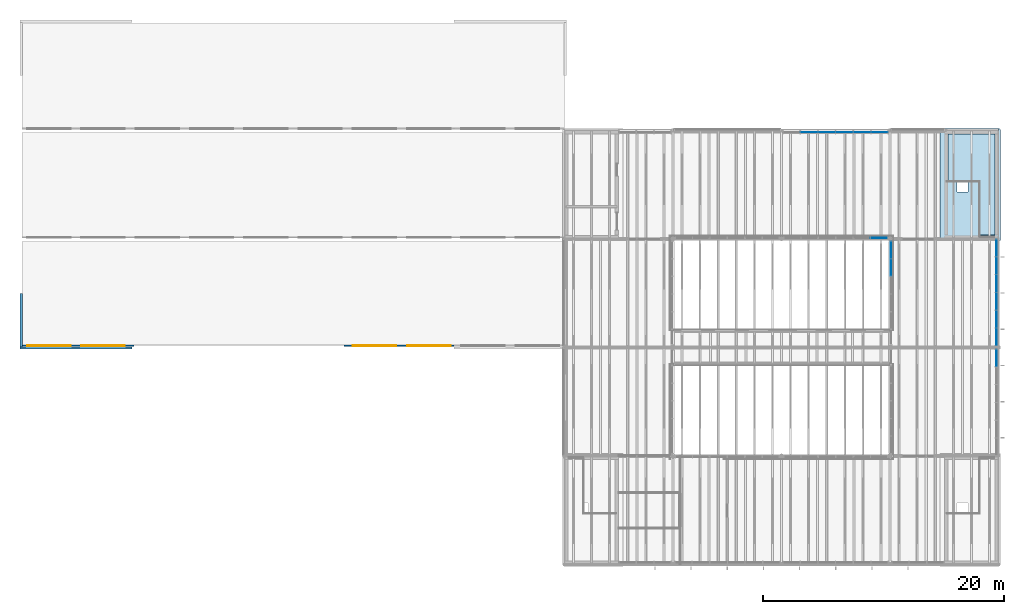
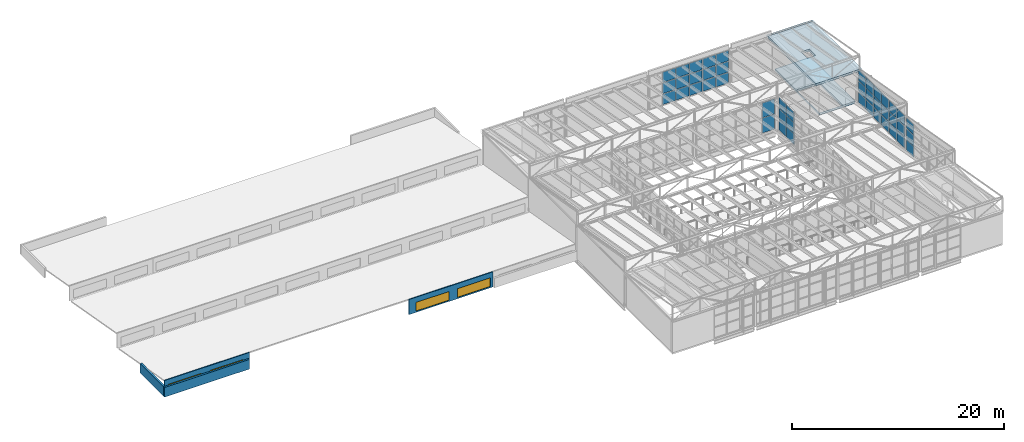
"""IFC4 building model written with IfcOpenShell, lengths in metres."""

from ifc_helpers import new_model, si_unit, direction, frame, frame_2d, origin, origin_2d, place, context, subcontext, project, spatial, polyline, rectangle, outline, extrude, material, layer, layer_set, type_object, element, fill, aggregate, save


model = new_model("IFC4")

# Units and contexts
model_context = context("Model", 3, precision=1e-05, world=origin(), true_north=direction((0.0, 1.0)))
body_context = subcontext(model_context, "Body", "Model", "MODEL_VIEW")
ifc_project = project(units=[si_unit("LENGTHUNIT", "METRE"), si_unit("AREAUNIT", "SQUARE_METRE"), si_unit("VOLUMEUNIT", "CUBIC_METRE"), si_unit("PLANEANGLEUNIT", "RADIAN"), si_unit("MASSUNIT", "GRAM", prefix="KILO")], contexts=[model_context])

# Site, building, storey
site_placement = place(None, origin())
site = spatial("IfcSite", under=ifc_project, at=site_placement, CompositionType="ELEMENT")
building_placement = place(site_placement, origin())
building = spatial("IfcBuilding", under=site, at=building_placement, Name="Halyard Row Museum", CompositionType="ELEMENT")
storey_1_placement = place(building_placement, frame((0.0, 0.0, 21.199951171875)))
storey_1 = spatial("IfcBuildingStorey", under=building, at=storey_1_placement, Name="L04", CompositionType="ELEMENT", Elevation=21.199951171875)

# Slabs
ifc_material_1 = material(Name="Concrete 40 MPa", Category="concrete")
ifc_layer_1 = layer(ifc_material_1, 0.25)
ifc_layer_set_1 = layer_set([ifc_layer_1], Name="Concrete 40 MPa")
slab_type_1 = type_object("IfcSlabType", Name="Core floor slab 250", PredefinedType="FLOOR", material=ifc_layer_set_1)
slab_1_placement = place(storey_1_placement, frame((0.0, 0.0, -0.25)))
element("IfcSlab", 1, at=slab_1_placement, inside=storey_1, type_object=slab_type_1, Name="Core floor K2C L04", PredefinedType="FLOOR", context=body_context, shape_type="SweptSolid", body=[
    extrude(outline(polyline([(107.699951171875, 35.699951171875), (103.800048828125, 35.699951171875), (103.800048828125, 27.300048828125), (107.699951171875, 27.300048828125), (107.699951171875, 35.699951171875)]), holes=[polyline([(106.346923828125, 27.302978515625), (103.802978515625, 27.302978515625), (103.802978515625, 31.697021484375), (106.346923828125, 31.697021484375), (106.346923828125, 27.302978515625)])]), origin(), (0.0, 0.0, 1.0), 0.25),
])
ifc_material_2 = material(Name="Concrete 40 MPa", Category="concrete")
ifc_layer_2 = layer(ifc_material_2, 0.25)
ifc_layer_set_2 = layer_set([ifc_layer_2], Name="Concrete 40 MPa")
slab_type_2 = type_object("IfcSlabType", Name="Core roof slab 250 reinforced concrete", PredefinedType="ROOF", material=ifc_layer_set_2)
slab_2_placement = place(storey_1_placement, frame((0.0, 0.0, 3.628173828125)))
element("IfcSlab", 2, at=slab_2_placement, inside=storey_1, type_object=slab_type_2, Name="Core roof K2C", PredefinedType="ROOF", context=body_context, shape_type="SweptSolid", body=[
    extrude(outline(polyline([(103.14990234375, 35.904541015625), (108.0, 35.904541015625), (108.0, 36.095458984375), (103.14990234375, 36.095458984375), (103.14990234375, 36.14990234375), (108.0, 36.14990234375), (108.0146484375, 36.149169921875), (108.029296875, 36.147216796875), (108.04345703125, 36.1435546875), (108.057373046875, 36.138671875), (108.07080078125, 36.13232421875), (108.083251953125, 36.124755859375), (108.09521484375, 36.115966796875), (108.10595703125, 36.10595703125), (108.115966796875, 36.09521484375), (108.124755859375, 36.083251953125), (108.13232421875, 36.07080078125), (108.138671875, 36.057373046875), (108.1435546875, 36.04345703125), (108.147216796875, 36.029296875), (108.149169921875, 36.0146484375), (108.14990234375, 36.0), (108.14990234375, 26.85009765625), (103.14990234375, 26.85009765625), (103.14990234375, 35.904541015625)]), holes=[polyline([(104.550048828125, 30.89990234375), (105.449951171875, 30.89990234375), (105.449951171875, 32.10009765625), (104.550048828125, 32.10009765625), (104.550048828125, 30.89990234375)])]), origin(), (0.0, 0.0, 1.0), 0.25),
])

# Curtain wall, plates
ifc_material_3 = material(Name="Double glazed unit, low-emissivity", Category="glass")
ifc_layer_3 = layer(ifc_material_3, 0.219970703125)
ifc_layer_set_3 = layer_set([ifc_layer_3], Name="Double glazed unit, low-emissivity")
curtain_wall_type_1 = type_object("IfcCurtainWallType", Name="Curtain wall unitised 220 deep", PredefinedType="NOTDEFINED", material=ifc_layer_set_3)
curtain_wall_1_placement = place(storey_1_placement, origin())
curtain_wall_1 = element("IfcCurtainWall", 3, at=curtain_wall_1_placement, inside=storey_1, type_object=curtain_wall_type_1, Name="Curtain wall CW059", PredefinedType="NOTDEFINED")
ifc_material_4 = material(Name="Double glazed unit, low-emissivity", Category="glass")
ifc_layer_4 = layer(ifc_material_4, 0.035888671875)
ifc_layer_set_4 = layer_set([ifc_layer_4], Name="Double glazed unit, low-emissivity")
plate_type_1 = type_object("IfcPlateType", Name="Curtain wall glazed panel CP3 36", PredefinedType="CURTAIN_PANEL", material=ifc_layer_set_4)
plate_1_placement = place(storey_1_placement, frame((107.840087890625, 17.120361328125, 0.06005859375), z_axis=(0.0, 0.0, 1.0), x_axis=(0.0, 1.0, 0.0)))
plate_1 = element("IfcPlate", 4, at=plate_1_placement, type_object=plate_type_1, Name="CW059 panel 6.1", PredefinedType="CURTAIN_PANEL", context=body_context, shape_type="SweptSolid", body=[
    extrude(rectangle(XDim=1.38916015625, YDim=0.035888671875, at=origin_2d()), origin(), (0.0, 0.0, 1.0), 1.20263671875),
])
plate_2_placement = place(storey_1_placement, frame((107.840087890625, 17.120361328125, 1.32275390625), z_axis=(0.0, 0.0, 1.0), x_axis=(0.0, 1.0, 0.0)))
plate_2 = element("IfcPlate", 5, at=plate_2_placement, type_object=plate_type_1, Name="CW059 panel 6.2", PredefinedType="CURTAIN_PANEL", context=body_context, shape_type="SweptSolid", body=[
    extrude(rectangle(XDim=1.38916015625, YDim=0.035888671875, at=origin_2d()), origin(), (0.0, 0.0, 1.0), 1.232666015625),
])
plate_3_placement = place(storey_1_placement, frame((107.840087890625, 17.120361328125, 2.615478515625), z_axis=(0.0, 0.0, 1.0), x_axis=(0.0, 1.0, 0.0)))
plate_3 = element("IfcPlate", 6, at=plate_3_placement, type_object=plate_type_1, Name="CW059 panel 6.3", PredefinedType="CURTAIN_PANEL", context=body_context, shape_type="SweptSolid", body=[
    extrude(rectangle(XDim=1.38916015625, YDim=0.035888671875, at=origin_2d()), origin(), (0.0, 0.0, 1.0), 1.20263671875),
])
aggregate(curtain_wall_1, [plate_1, plate_2, plate_3])

curtain_wall_2_placement = place(storey_1_placement, origin())
curtain_wall_2 = element("IfcCurtainWall", 7, at=curtain_wall_2_placement, inside=storey_1, type_object=curtain_wall_type_1, Name="Curtain wall CW060", PredefinedType="NOTDEFINED")
plate_4_placement = place(storey_1_placement, frame((107.840087890625, 18.879638671875, 0.06005859375), z_axis=(0.0, 0.0, 1.0), x_axis=(0.0, 1.0, 0.0)))
plate_4 = element("IfcPlate", 8, at=plate_4_placement, type_object=plate_type_1, Name="CW060 panel 1.1", PredefinedType="CURTAIN_PANEL", context=body_context, shape_type="SweptSolid", body=[
    extrude(rectangle(XDim=1.38916015625, YDim=0.035888671875, at=origin_2d()), origin(), (0.0, 0.0, 1.0), 1.20263671875),
])
plate_5_placement = place(storey_1_placement, frame((107.840087890625, 18.879638671875, 1.32275390625), z_axis=(0.0, 0.0, 1.0), x_axis=(0.0, 1.0, 0.0)))
plate_5 = element("IfcPlate", 9, at=plate_5_placement, type_object=plate_type_1, Name="CW060 panel 1.2", PredefinedType="CURTAIN_PANEL", context=body_context, shape_type="SweptSolid", body=[
    extrude(rectangle(XDim=1.38916015625, YDim=0.035888671875, at=origin_2d()), origin(), (0.0, 0.0, 1.0), 1.232666015625),
])
plate_6_placement = place(storey_1_placement, frame((107.840087890625, 18.879638671875, 2.615478515625), z_axis=(0.0, 0.0, 1.0), x_axis=(0.0, 1.0, 0.0)))
plate_6 = element("IfcPlate", 10, at=plate_6_placement, type_object=plate_type_1, Name="CW060 panel 1.3", PredefinedType="CURTAIN_PANEL", context=body_context, shape_type="SweptSolid", body=[
    extrude(rectangle(XDim=1.38916015625, YDim=0.035888671875, at=origin_2d()), origin(), (0.0, 0.0, 1.0), 1.20263671875),
])
plate_7_placement = place(storey_1_placement, frame((107.840087890625, 20.34375, 0.06005859375), z_axis=(0.0, 0.0, 1.0), x_axis=(0.0, 1.0, 0.0)))
plate_7 = element("IfcPlate", 11, at=plate_7_placement, type_object=plate_type_1, Name="CW060 panel 2.1", PredefinedType="CURTAIN_PANEL", context=body_context, shape_type="SweptSolid", body=[
    extrude(rectangle(XDim=1.419189453125, YDim=0.035888671875, at=origin_2d()), origin(), (0.0, 0.0, 1.0), 1.20263671875),
])
plate_8_placement = place(storey_1_placement, frame((107.840087890625, 20.34375, 1.32275390625), z_axis=(0.0, 0.0, 1.0), x_axis=(0.0, 1.0, 0.0)))
plate_8 = element("IfcPlate", 12, at=plate_8_placement, type_object=plate_type_1, Name="CW060 panel 2.2", PredefinedType="CURTAIN_PANEL", context=body_context, shape_type="SweptSolid", body=[
    extrude(rectangle(XDim=1.419189453125, YDim=0.035888671875, at=origin_2d()), origin(), (0.0, 0.0, 1.0), 1.232666015625),
])
plate_9_placement = place(storey_1_placement, frame((107.840087890625, 20.34375, 2.615478515625), z_axis=(0.0, 0.0, 1.0), x_axis=(0.0, 1.0, 0.0)))
plate_9 = element("IfcPlate", 13, at=plate_9_placement, type_object=plate_type_1, Name="CW060 panel 2.3", PredefinedType="CURTAIN_PANEL", context=body_context, shape_type="SweptSolid", body=[
    extrude(rectangle(XDim=1.419189453125, YDim=0.035888671875, at=origin_2d()), origin(), (0.0, 0.0, 1.0), 1.20263671875),
])
plate_10_placement = place(storey_1_placement, frame((107.840087890625, 21.822998046875, 0.06005859375), z_axis=(0.0, 0.0, 1.0), x_axis=(0.0, 1.0, 0.0)))
plate_10 = element("IfcPlate", 14, at=plate_10_placement, type_object=plate_type_1, Name="CW060 panel 3.1", PredefinedType="CURTAIN_PANEL", context=body_context, shape_type="SweptSolid", body=[
    extrude(rectangle(XDim=1.419189453125, YDim=0.035888671875, at=origin_2d()), origin(), (0.0, 0.0, 1.0), 1.20263671875),
])
plate_11_placement = place(storey_1_placement, frame((107.840087890625, 21.822998046875, 1.32275390625), z_axis=(0.0, 0.0, 1.0), x_axis=(0.0, 1.0, 0.0)))
plate_11 = element("IfcPlate", 15, at=plate_11_placement, type_object=plate_type_1, Name="CW060 panel 3.2", PredefinedType="CURTAIN_PANEL", context=body_context, shape_type="SweptSolid", body=[
    extrude(rectangle(XDim=1.419189453125, YDim=0.035888671875, at=origin_2d()), origin(), (0.0, 0.0, 1.0), 1.232666015625),
])
plate_12_placement = place(storey_1_placement, frame((107.840087890625, 21.822998046875, 2.615478515625), z_axis=(0.0, 0.0, 1.0), x_axis=(0.0, 1.0, 0.0)))
plate_12 = element("IfcPlate", 16, at=plate_12_placement, type_object=plate_type_1, Name="CW060 panel 3.3", PredefinedType="CURTAIN_PANEL", context=body_context, shape_type="SweptSolid", body=[
    extrude(rectangle(XDim=1.419189453125, YDim=0.035888671875, at=origin_2d()), origin(), (0.0, 0.0, 1.0), 1.20263671875),
])
plate_13_placement = place(storey_1_placement, frame((107.840087890625, 23.302001953125, 0.06005859375), z_axis=(0.0, 0.0, 1.0), x_axis=(0.0, 1.0, 0.0)))
plate_13 = element("IfcPlate", 17, at=plate_13_placement, type_object=plate_type_1, Name="CW060 panel 4.1", PredefinedType="CURTAIN_PANEL", context=body_context, shape_type="SweptSolid", body=[
    extrude(rectangle(XDim=1.419189453125, YDim=0.035888671875, at=origin_2d()), origin(), (0.0, 0.0, 1.0), 1.20263671875),
])
plate_14_placement = place(storey_1_placement, frame((107.840087890625, 23.302001953125, 1.32275390625), z_axis=(0.0, 0.0, 1.0), x_axis=(0.0, 1.0, 0.0)))
plate_14 = element("IfcPlate", 18, at=plate_14_placement, type_object=plate_type_1, Name="CW060 panel 4.2", PredefinedType="CURTAIN_PANEL", context=body_context, shape_type="SweptSolid", body=[
    extrude(rectangle(XDim=1.419189453125, YDim=0.035888671875, at=origin_2d()), origin(), (0.0, 0.0, 1.0), 1.232666015625),
])
plate_15_placement = place(storey_1_placement, frame((107.840087890625, 23.302001953125, 2.615478515625), z_axis=(0.0, 0.0, 1.0), x_axis=(0.0, 1.0, 0.0)))
plate_15 = element("IfcPlate", 19, at=plate_15_placement, type_object=plate_type_1, Name="CW060 panel 4.3", PredefinedType="CURTAIN_PANEL", context=body_context, shape_type="SweptSolid", body=[
    extrude(rectangle(XDim=1.419189453125, YDim=0.035888671875, at=origin_2d()), origin(), (0.0, 0.0, 1.0), 1.20263671875),
])
plate_16_placement = place(storey_1_placement, frame((107.840087890625, 24.78125, 0.06005859375), z_axis=(0.0, 0.0, 1.0), x_axis=(0.0, 1.0, 0.0)))
plate_16 = element("IfcPlate", 20, at=plate_16_placement, type_object=plate_type_1, Name="CW060 panel 5.1", PredefinedType="CURTAIN_PANEL", context=body_context, shape_type="SweptSolid", body=[
    extrude(rectangle(XDim=1.419189453125, YDim=0.035888671875, at=origin_2d()), origin(), (0.0, 0.0, 1.0), 1.20263671875),
])
plate_17_placement = place(storey_1_placement, frame((107.840087890625, 24.78125, 1.32275390625), z_axis=(0.0, 0.0, 1.0), x_axis=(0.0, 1.0, 0.0)))
plate_17 = element("IfcPlate", 21, at=plate_17_placement, type_object=plate_type_1, Name="CW060 panel 5.2", PredefinedType="CURTAIN_PANEL", context=body_context, shape_type="SweptSolid", body=[
    extrude(rectangle(XDim=1.419189453125, YDim=0.035888671875, at=origin_2d()), origin(), (0.0, 0.0, 1.0), 1.232666015625),
])
plate_18_placement = place(storey_1_placement, frame((107.840087890625, 24.78125, 2.615478515625), z_axis=(0.0, 0.0, 1.0), x_axis=(0.0, 1.0, 0.0)))
plate_18 = element("IfcPlate", 22, at=plate_18_placement, type_object=plate_type_1, Name="CW060 panel 5.3", PredefinedType="CURTAIN_PANEL", context=body_context, shape_type="SweptSolid", body=[
    extrude(rectangle(XDim=1.419189453125, YDim=0.035888671875, at=origin_2d()), origin(), (0.0, 0.0, 1.0), 1.20263671875),
])
plate_19_placement = place(storey_1_placement, frame((107.840087890625, 26.245361328125, 0.06005859375), z_axis=(0.0, 0.0, 1.0), x_axis=(0.0, 1.0, 0.0)))
plate_19 = element("IfcPlate", 23, at=plate_19_placement, type_object=plate_type_1, Name="CW060 panel 6.1", PredefinedType="CURTAIN_PANEL", context=body_context, shape_type="SweptSolid", body=[
    extrude(rectangle(XDim=1.38916015625, YDim=0.035888671875, at=origin_2d()), origin(), (0.0, 0.0, 1.0), 1.20263671875),
])
plate_20_placement = place(storey_1_placement, frame((107.840087890625, 26.245361328125, 1.32275390625), z_axis=(0.0, 0.0, 1.0), x_axis=(0.0, 1.0, 0.0)))
plate_20 = element("IfcPlate", 24, at=plate_20_placement, type_object=plate_type_1, Name="CW060 panel 6.2", PredefinedType="CURTAIN_PANEL", context=body_context, shape_type="SweptSolid", body=[
    extrude(rectangle(XDim=1.38916015625, YDim=0.035888671875, at=origin_2d()), origin(), (0.0, 0.0, 1.0), 1.232666015625),
])
plate_21_placement = place(storey_1_placement, frame((107.840087890625, 26.245361328125, 2.615478515625), z_axis=(0.0, 0.0, 1.0), x_axis=(0.0, 1.0, 0.0)))
plate_21 = element("IfcPlate", 25, at=plate_21_placement, type_object=plate_type_1, Name="CW060 panel 6.3", PredefinedType="CURTAIN_PANEL", context=body_context, shape_type="SweptSolid", body=[
    extrude(rectangle(XDim=1.38916015625, YDim=0.035888671875, at=origin_2d()), origin(), (0.0, 0.0, 1.0), 1.20263671875),
])
aggregate(curtain_wall_2, [plate_4, plate_5, plate_6, plate_7, plate_8, plate_9, plate_10, plate_11, plate_12, plate_13, plate_14, plate_15, plate_16, plate_17, plate_18, plate_19, plate_20, plate_21])

curtain_wall_3_placement = place(storey_1_placement, origin())
curtain_wall_3 = element("IfcCurtainWall", 26, at=curtain_wall_3_placement, inside=storey_1, type_object=curtain_wall_type_1, Name="Curtain wall CW061", PredefinedType="NOTDEFINED")
plate_22_placement = place(storey_1_placement, frame((98.128662109375, 35.840087890625, 0.06005859375), z_axis=(0.0, 0.0, 1.0), x_axis=(-1.0, 0.0, 0.0)))
plate_22 = element("IfcPlate", 27, at=plate_22_placement, type_object=plate_type_1, Name="CW061 panel 1.1", PredefinedType="CURTAIN_PANEL", context=body_context, shape_type="SweptSolid", body=[
    extrude(rectangle(XDim=1.37255859375, YDim=0.035888671875, at=origin_2d()), origin(), (0.0, 0.0, 1.0), 1.20263671875),
])
plate_23_placement = place(storey_1_placement, frame((98.128662109375, 35.840087890625, 1.32275390625), z_axis=(0.0, 0.0, 1.0), x_axis=(-1.0, 0.0, 0.0)))
plate_23 = element("IfcPlate", 28, at=plate_23_placement, type_object=plate_type_1, Name="CW061 panel 1.2", PredefinedType="CURTAIN_PANEL", context=body_context, shape_type="SweptSolid", body=[
    extrude(rectangle(XDim=1.37255859375, YDim=0.035888671875, at=origin_2d()), origin(), (0.0, 0.0, 1.0), 1.232666015625),
])
plate_24_placement = place(storey_1_placement, frame((98.128662109375, 35.840087890625, 2.615478515625), z_axis=(0.0, 0.0, 1.0), x_axis=(-1.0, 0.0, 0.0)))
plate_24 = element("IfcPlate", 29, at=plate_24_placement, type_object=plate_type_1, Name="CW061 panel 1.3", PredefinedType="CURTAIN_PANEL", context=body_context, shape_type="SweptSolid", body=[
    extrude(rectangle(XDim=1.37255859375, YDim=0.035888671875, at=origin_2d()), origin(), (0.0, 0.0, 1.0), 1.20263671875),
])
plate_25_placement = place(storey_1_placement, frame((96.68115234375, 35.840087890625, 0.06005859375), z_axis=(0.0, 0.0, 1.0), x_axis=(-1.0, 0.0, 0.0)))
plate_25 = element("IfcPlate", 30, at=plate_25_placement, type_object=plate_type_1, Name="CW061 panel 2.1", PredefinedType="CURTAIN_PANEL", context=body_context, shape_type="SweptSolid", body=[
    extrude(rectangle(XDim=1.402587890625, YDim=0.035888671875, at=origin_2d()), origin(), (0.0, 0.0, 1.0), 1.20263671875),
])
plate_26_placement = place(storey_1_placement, frame((96.68115234375, 35.840087890625, 1.32275390625), z_axis=(0.0, 0.0, 1.0), x_axis=(-1.0, 0.0, 0.0)))
plate_26 = element("IfcPlate", 31, at=plate_26_placement, type_object=plate_type_1, Name="CW061 panel 2.2", PredefinedType="CURTAIN_PANEL", context=body_context, shape_type="SweptSolid", body=[
    extrude(rectangle(XDim=1.402587890625, YDim=0.035888671875, at=origin_2d()), origin(), (0.0, 0.0, 1.0), 1.232666015625),
])
plate_27_placement = place(storey_1_placement, frame((96.68115234375, 35.840087890625, 2.615478515625), z_axis=(0.0, 0.0, 1.0), x_axis=(-1.0, 0.0, 0.0)))
plate_27 = element("IfcPlate", 32, at=plate_27_placement, type_object=plate_type_1, Name="CW061 panel 2.3", PredefinedType="CURTAIN_PANEL", context=body_context, shape_type="SweptSolid", body=[
    extrude(rectangle(XDim=1.402587890625, YDim=0.035888671875, at=origin_2d()), origin(), (0.0, 0.0, 1.0), 1.20263671875),
])
plate_28_placement = place(storey_1_placement, frame((95.21875, 35.840087890625, 0.06005859375), z_axis=(0.0, 0.0, 1.0), x_axis=(-1.0, 0.0, 0.0)))
plate_28 = element("IfcPlate", 33, at=plate_28_placement, type_object=plate_type_1, Name="CW061 panel 3.1", PredefinedType="CURTAIN_PANEL", context=body_context, shape_type="SweptSolid", body=[
    extrude(rectangle(XDim=1.402587890625, YDim=0.035888671875, at=origin_2d()), origin(), (0.0, 0.0, 1.0), 1.20263671875),
])
plate_29_placement = place(storey_1_placement, frame((95.21875, 35.840087890625, 1.32275390625), z_axis=(0.0, 0.0, 1.0), x_axis=(-1.0, 0.0, 0.0)))
plate_29 = element("IfcPlate", 34, at=plate_29_placement, type_object=plate_type_1, Name="CW061 panel 3.2", PredefinedType="CURTAIN_PANEL", context=body_context, shape_type="SweptSolid", body=[
    extrude(rectangle(XDim=1.402587890625, YDim=0.035888671875, at=origin_2d()), origin(), (0.0, 0.0, 1.0), 1.232666015625),
])
plate_30_placement = place(storey_1_placement, frame((95.21875, 35.840087890625, 2.615478515625), z_axis=(0.0, 0.0, 1.0), x_axis=(-1.0, 0.0, 0.0)))
plate_30 = element("IfcPlate", 35, at=plate_30_placement, type_object=plate_type_1, Name="CW061 panel 3.3", PredefinedType="CURTAIN_PANEL", context=body_context, shape_type="SweptSolid", body=[
    extrude(rectangle(XDim=1.402587890625, YDim=0.035888671875, at=origin_2d()), origin(), (0.0, 0.0, 1.0), 1.20263671875),
])
plate_31_placement = place(storey_1_placement, frame((93.75634765625, 35.840087890625, 0.06005859375), z_axis=(0.0, 0.0, 1.0), x_axis=(-1.0, 0.0, 0.0)))
plate_31 = element("IfcPlate", 36, at=plate_31_placement, type_object=plate_type_1, Name="CW061 panel 4.1", PredefinedType="CURTAIN_PANEL", context=body_context, shape_type="SweptSolid", body=[
    extrude(rectangle(XDim=1.402587890625, YDim=0.035888671875, at=origin_2d()), origin(), (0.0, 0.0, 1.0), 1.20263671875),
])
plate_32_placement = place(storey_1_placement, frame((93.75634765625, 35.840087890625, 1.32275390625), z_axis=(0.0, 0.0, 1.0), x_axis=(-1.0, 0.0, 0.0)))
plate_32 = element("IfcPlate", 37, at=plate_32_placement, type_object=plate_type_1, Name="CW061 panel 4.2", PredefinedType="CURTAIN_PANEL", context=body_context, shape_type="SweptSolid", body=[
    extrude(rectangle(XDim=1.402587890625, YDim=0.035888671875, at=origin_2d()), origin(), (0.0, 0.0, 1.0), 1.232666015625),
])
plate_33_placement = place(storey_1_placement, frame((93.75634765625, 35.840087890625, 2.615478515625), z_axis=(0.0, 0.0, 1.0), x_axis=(-1.0, 0.0, 0.0)))
plate_33 = element("IfcPlate", 38, at=plate_33_placement, type_object=plate_type_1, Name="CW061 panel 4.3", PredefinedType="CURTAIN_PANEL", context=body_context, shape_type="SweptSolid", body=[
    extrude(rectangle(XDim=1.402587890625, YDim=0.035888671875, at=origin_2d()), origin(), (0.0, 0.0, 1.0), 1.20263671875),
])
plate_34_placement = place(storey_1_placement, frame((92.293701171875, 35.840087890625, 0.06005859375), z_axis=(0.0, 0.0, 1.0), x_axis=(-1.0, 0.0, 0.0)))
plate_34 = element("IfcPlate", 39, at=plate_34_placement, type_object=plate_type_1, Name="CW061 panel 5.1", PredefinedType="CURTAIN_PANEL", context=body_context, shape_type="SweptSolid", body=[
    extrude(rectangle(XDim=1.402587890625, YDim=0.035888671875, at=origin_2d()), origin(), (0.0, 0.0, 1.0), 1.20263671875),
])
plate_35_placement = place(storey_1_placement, frame((92.293701171875, 35.840087890625, 1.32275390625), z_axis=(0.0, 0.0, 1.0), x_axis=(-1.0, 0.0, 0.0)))
plate_35 = element("IfcPlate", 40, at=plate_35_placement, type_object=plate_type_1, Name="CW061 panel 5.2", PredefinedType="CURTAIN_PANEL", context=body_context, shape_type="SweptSolid", body=[
    extrude(rectangle(XDim=1.402587890625, YDim=0.035888671875, at=origin_2d()), origin(), (0.0, 0.0, 1.0), 1.232666015625),
])
plate_36_placement = place(storey_1_placement, frame((92.293701171875, 35.840087890625, 2.615478515625), z_axis=(0.0, 0.0, 1.0), x_axis=(-1.0, 0.0, 0.0)))
plate_36 = element("IfcPlate", 41, at=plate_36_placement, type_object=plate_type_1, Name="CW061 panel 5.3", PredefinedType="CURTAIN_PANEL", context=body_context, shape_type="SweptSolid", body=[
    extrude(rectangle(XDim=1.402587890625, YDim=0.035888671875, at=origin_2d()), origin(), (0.0, 0.0, 1.0), 1.20263671875),
])
aggregate(curtain_wall_3, [plate_22, plate_23, plate_24, plate_25, plate_26, plate_27, plate_28, plate_29, plate_30, plate_31, plate_32, plate_33, plate_34, plate_35, plate_36])

ifc_material_5 = material(Name="Fire-resisting laminated glazing", Category="glass")
ifc_layer_5 = layer(ifc_material_5, 0.159912109375)
ifc_layer_set_5 = layer_set([ifc_layer_5], Name="Fire-resisting laminated glazing")
curtain_wall_type_2 = type_object("IfcCurtainWallType", Name="Curtain wall atrium screen 160 deep", PredefinedType="NOTDEFINED", material=ifc_layer_set_5)
curtain_wall_4_placement = place(storey_1_placement, origin())
curtain_wall_4 = element("IfcCurtainWall", 42, at=curtain_wall_4_placement, inside=storey_1, type_object=curtain_wall_type_2, Name="Curtain wall CW105", PredefinedType="NOTDEFINED")
ifc_material_6 = material(Name="Fire-resisting laminated glazing", Category="glass")
ifc_layer_6 = layer(ifc_material_6, 0.0400390625)
ifc_layer_set_6 = layer_set([ifc_layer_6], Name="Fire-resisting laminated glazing")
plate_type_2 = type_object("IfcPlateType", Name="Curtain wall glazed panel CP5 40", PredefinedType="CURTAIN_PANEL", material=ifc_layer_set_6)
plate_37_placement = place(storey_1_placement, frame((99.080078125, 24.62548828125, 0.06005859375), z_axis=(0.0, 0.0, 1.0), x_axis=(0.0, 1.0, 0.0)))
plate_37 = element("IfcPlate", 43, at=plate_37_placement, type_object=plate_type_2, Name="CW105 panel 4.1", PredefinedType="CURTAIN_PANEL", context=body_context, shape_type="SweptSolid", body=[
    extrude(rectangle(XDim=1.404541015625, YDim=0.0400390625, at=origin_2d()), origin(), (0.0, 0.0, 1.0), 1.20263671875),
])
plate_38_placement = place(storey_1_placement, frame((99.080078125, 24.62548828125, 1.32275390625), z_axis=(0.0, 0.0, 1.0), x_axis=(0.0, 1.0, 0.0)))
plate_38 = element("IfcPlate", 44, at=plate_38_placement, type_object=plate_type_2, Name="CW105 panel 4.2", PredefinedType="CURTAIN_PANEL", context=body_context, shape_type="SweptSolid", body=[
    extrude(rectangle(XDim=1.404541015625, YDim=0.0400390625, at=origin_2d()), origin(), (0.0, 0.0, 1.0), 1.232666015625),
])
plate_39_placement = place(storey_1_placement, frame((99.080078125, 24.62548828125, 2.615478515625), z_axis=(0.0, 0.0, 1.0), x_axis=(0.0, 1.0, 0.0)))
plate_39 = element("IfcPlate", 45, at=plate_39_placement, type_object=plate_type_2, Name="CW105 panel 4.3", PredefinedType="CURTAIN_PANEL", context=body_context, shape_type="SweptSolid", body=[
    extrude(rectangle(XDim=1.404541015625, YDim=0.0400390625, at=origin_2d()), origin(), (0.0, 0.0, 1.0), 1.20263671875),
])
plate_40_placement = place(storey_1_placement, frame((99.080078125, 26.074951171875, 0.06005859375), z_axis=(0.0, 0.0, 1.0), x_axis=(0.0, 1.0, 0.0)))
plate_40 = element("IfcPlate", 46, at=plate_40_placement, type_object=plate_type_2, Name="CW105 panel 5.1", PredefinedType="CURTAIN_PANEL", context=body_context, shape_type="SweptSolid", body=[
    extrude(rectangle(XDim=1.37451171875, YDim=0.0400390625, at=origin_2d()), origin(), (0.0, 0.0, 1.0), 1.20263671875),
])
plate_41_placement = place(storey_1_placement, frame((99.080078125, 26.074951171875, 1.32275390625), z_axis=(0.0, 0.0, 1.0), x_axis=(0.0, 1.0, 0.0)))
plate_41 = element("IfcPlate", 47, at=plate_41_placement, type_object=plate_type_2, Name="CW105 panel 5.2", PredefinedType="CURTAIN_PANEL", context=body_context, shape_type="SweptSolid", body=[
    extrude(rectangle(XDim=1.37451171875, YDim=0.0400390625, at=origin_2d()), origin(), (0.0, 0.0, 1.0), 1.232666015625),
])
plate_42_placement = place(storey_1_placement, frame((99.080078125, 26.074951171875, 2.615478515625), z_axis=(0.0, 0.0, 1.0), x_axis=(0.0, 1.0, 0.0)))
plate_42 = element("IfcPlate", 48, at=plate_42_placement, type_object=plate_type_2, Name="CW105 panel 5.3", PredefinedType="CURTAIN_PANEL", context=body_context, shape_type="SweptSolid", body=[
    extrude(rectangle(XDim=1.37451171875, YDim=0.0400390625, at=origin_2d()), origin(), (0.0, 0.0, 1.0), 1.20263671875),
])
aggregate(curtain_wall_4, [plate_37, plate_38, plate_39, plate_40, plate_41, plate_42])

curtain_wall_5_placement = place(storey_1_placement, origin())
curtain_wall_5 = element("IfcCurtainWall", 49, at=curtain_wall_5_placement, inside=storey_1, type_object=curtain_wall_type_2, Name="Curtain wall CW106", PredefinedType="NOTDEFINED")
plate_43_placement = place(storey_1_placement, frame((98.08544921875, 27.080078125, 0.06005859375), z_axis=(0.0, 0.0, 1.0), x_axis=(-1.0, 0.0, 0.0)))
plate_43 = element("IfcPlate", 50, at=plate_43_placement, type_object=plate_type_2, Name="CW106 panel 1.1", PredefinedType="CURTAIN_PANEL", context=body_context, shape_type="SweptSolid", body=[
    extrude(rectangle(XDim=1.353271484375, YDim=0.0400390625, at=origin_2d()), origin(), (0.0, 0.0, 1.0), 1.7099609375),
])
plate_44_placement = place(storey_1_placement, frame((98.08544921875, 27.080078125, 1.830078125), z_axis=(0.0, 0.0, 1.0), x_axis=(-1.0, 0.0, 0.0)))
plate_44 = element("IfcPlate", 51, at=plate_44_placement, type_object=plate_type_2, Name="CW106 panel 1.2", PredefinedType="CURTAIN_PANEL", context=body_context, shape_type="SweptSolid", body=[
    extrude(rectangle(XDim=1.353271484375, YDim=0.0400390625, at=origin_2d()), origin(), (0.0, 0.0, 1.0), 1.7099609375),
])
aggregate(curtain_wall_5, [plate_43, plate_44])

# Walls
ifc_material_7 = material(Name="Standing-seam roofing on insulated timber deck", Category="wood")
ifc_layer_7 = layer(ifc_material_7, 0.199951171875)
ifc_layer_set_7 = layer_set([ifc_layer_7], Name="Standing-seam roofing on insulated timber deck")
wall_type_1 = type_object("IfcWallType", Name="Roof parapet 200 timber-clad 1100", PredefinedType="PARAPET", material=ifc_layer_set_7)
wall_1_placement = place(storey_1_placement, frame((26.85009765625, 17.949951171875, -0.121826171875), z_axis=(0.0, 0.0, 1.0), x_axis=(1.0, 0.0, 0.0)))
element("IfcWall", 52, at=wall_1_placement, inside=storey_1, type_object=wall_type_1, Name="Wall PAC-06", PredefinedType="PARAPET", context=body_context, shape_type="SweptSolid", body=[
    extrude(rectangle(XDim=9.2998046875, YDim=0.199951171875, at=frame_2d((4.64990234375, 0.0))), origin(), (0.0, 0.0, 1.0), 1.10009765625),
])
wall_2_placement = place(storey_1_placement, frame((26.949951171875, 18.050048828125, -0.121826171875), z_axis=(0.0, 0.0, 1.0), x_axis=(0.0, 1.0, 0.0)))
element("IfcWall", 53, at=wall_2_placement, inside=storey_1, type_object=wall_type_1, Name="Wall PAC-07", PredefinedType="PARAPET", context=body_context, shape_type="SweptSolid", body=[
    extrude(rectangle(XDim=4.39990234375, YDim=0.199951171875, at=frame_2d((2.199951171875, 0.0))), origin(), (0.0, 0.0, 1.0), 1.10009765625),
])

# Wall, openings
ifc_material_8 = material(Name="Insulated steel-stud upstand with aluminium cladding", Category="steel")
ifc_layer_8 = layer(ifc_material_8, 0.10009765625)
ifc_layer_set_8 = layer_set([ifc_layer_8], Name="Insulated steel-stud upstand with aluminium cladding")
wall_type_2 = type_object("IfcWallType", Name="Rooflight upstand wall 100", PredefinedType="SOLIDWALL", material=ifc_layer_set_8)
wall_3_placement = place(storey_1_placement, frame((27.0, 18.138916015625, -0.121826171875), z_axis=(0.0, 0.0, 1.0), x_axis=(1.0, 0.0, 0.0)))
wall_3 = element("IfcWall", 54, at=wall_3_placement, inside=storey_1, type_object=wall_type_2, Name="Wall UWV1-T1a-1", PredefinedType="SOLIDWALL", context=body_context, shape_type="SweptSolid", body=[
    extrude(rectangle(XDim=9.300048828125, YDim=0.10009765625, at=frame_2d((4.64990234375, 0.0))), origin(), (0.0, 0.0, 1.0), 1.721923828125),
])
opening_1_placement = place(wall_3_placement, frame((0.449951171875, 0.0, 0.14990234375)))
opening_1 = element("IfcOpeningElement", 55, at=opening_1_placement, cuts=wall_3, Name="Opening RLV1-T1a-1-01", PredefinedType="OPENING", context=body_context, shape_type="SweptSolid", body=[
    extrude(rectangle(XDim=3.60009765625, YDim=1.0, at=frame_2d((1.800048828125, 0.5))), frame((0.0, 0.06005859375, 0.0), z_axis=(0.0, -1.0, 0.0), x_axis=(1.0, 0.0, 0.0)), (0.0, 0.0, 1.0), 0.1201171875),
])
opening_2_placement = place(wall_3_placement, frame((4.949951171875, 0.0, 0.14990234375)))
opening_2 = element("IfcOpeningElement", 56, at=opening_2_placement, cuts=wall_3, Name="Opening RLV1-T1a-1-02", PredefinedType="OPENING", context=body_context, shape_type="SweptSolid", body=[
    extrude(rectangle(XDim=3.60009765625, YDim=1.0, at=frame_2d((1.800048828125, 0.5))), frame((0.0, 0.06005859375, 0.0), z_axis=(0.0, -1.0, 0.0), x_axis=(1.0, 0.0, 0.0)), (0.0, 0.0, 1.0), 0.1201171875),
])

# Storey
storey_2_placement = place(building_placement, frame((0.0, 0.0, 13.39990234375)))
storey_2 = spatial("IfcBuildingStorey", under=building, at=storey_2_placement, Name="L03", CompositionType="ELEMENT", Elevation=13.39990234375)

# Window
ifc_material_9 = material(Name="Double glazed unit, low-emissivity", Category="glass")
window_type = type_object("IfcWindowType", Name="Rooflight 3600 x 1000 riser", PartitioningType="SINGLE_PANEL", PredefinedType="SKYLIGHT", material=ifc_material_9)
window_1_placement = place(opening_1_placement, origin())
window_1 = element("IfcWindow", 57, at=window_1_placement, inside=storey_2, type_object=window_type, Name="Rooflight", OverallHeight=1.0, OverallWidth=3.60009765625, PartitioningType="SINGLE_PANEL", PredefinedType="SKYLIGHT", context=body_context, shape_type="SweptSolid", body=[
    extrude(rectangle(XDim=3.60009765625, YDim=1.0, at=frame_2d((1.800048828125, 0.5))), frame((0.0, 0.030029296875, 0.0), z_axis=(0.0, -1.0, 0.0), x_axis=(1.0, 0.0, 0.0)), (0.0, 0.0, 1.0), 0.06005859375),
])

fill(opening_1, window_1)

window_2_placement = place(opening_2_placement, origin())
window_2 = element("IfcWindow", 58, at=window_2_placement, inside=storey_2, type_object=window_type, Name="Rooflight", OverallHeight=1.0, OverallWidth=3.60009765625, PartitioningType="SINGLE_PANEL", PredefinedType="SKYLIGHT", context=body_context, shape_type="SweptSolid", body=[
    extrude(rectangle(XDim=3.60009765625, YDim=1.0, at=frame_2d((1.800048828125, 0.5))), frame((0.0, 0.030029296875, 0.0), z_axis=(0.0, -1.0, 0.0), x_axis=(1.0, 0.0, 0.0)), (0.0, 0.0, 1.0), 0.06005859375),
])

fill(opening_2, window_2)

# Wall, openings, windows
wall_4_placement = place(storey_1_placement, frame((53.699951171875, 18.138916015625, -0.146240234375), z_axis=(0.0, 0.0, 1.0), x_axis=(1.0, 0.0, 0.0)))
wall_4 = element("IfcWall", 59, at=wall_4_placement, inside=storey_1, type_object=wall_type_2, Name="Wall UWV1-T1a-2", PredefinedType="SOLIDWALL", context=body_context, shape_type="SweptSolid", body=[
    extrude(rectangle(XDim=9.150146484375, YDim=0.10009765625, at=frame_2d((4.5751953125, 0.0))), origin(), (0.0, 0.0, 1.0), 1.746337890625),
])
opening_3_placement = place(wall_4_placement, frame((0.75, 0.0, 0.14990234375)))
opening_3 = element("IfcOpeningElement", 60, at=opening_3_placement, cuts=wall_4, Name="Opening RLV1-T1a-2-01", PredefinedType="OPENING", context=body_context, shape_type="SweptSolid", body=[
    extrude(rectangle(XDim=3.60009765625, YDim=1.0, at=frame_2d((1.800048828125, 0.5))), frame((0.0, 0.06005859375, 0.0), z_axis=(0.0, -1.0, 0.0), x_axis=(1.0, 0.0, 0.0)), (0.0, 0.0, 1.0), 0.1201171875),
])
opening_4_placement = place(wall_4_placement, frame((5.25, 0.0, 0.14990234375)))
opening_4 = element("IfcOpeningElement", 61, at=opening_4_placement, cuts=wall_4, Name="Opening RLV1-T1a-2-02", PredefinedType="OPENING", context=body_context, shape_type="SweptSolid", body=[
    extrude(rectangle(XDim=3.60009765625, YDim=1.0, at=frame_2d((1.800048828125, 0.5))), frame((0.0, 0.06005859375, 0.0), z_axis=(0.0, -1.0, 0.0), x_axis=(1.0, 0.0, 0.0)), (0.0, 0.0, 1.0), 0.1201171875),
])
window_3_placement = place(opening_3_placement, origin())
window_3 = element("IfcWindow", 62, at=window_3_placement, inside=storey_2, type_object=window_type, Name="Rooflight", OverallHeight=1.0, OverallWidth=3.60009765625, PartitioningType="SINGLE_PANEL", PredefinedType="SKYLIGHT", context=body_context, shape_type="SweptSolid", body=[
    extrude(rectangle(XDim=3.60009765625, YDim=1.0, at=frame_2d((1.800048828125, 0.5))), frame((0.0, 0.030029296875, 0.0), z_axis=(0.0, -1.0, 0.0), x_axis=(1.0, 0.0, 0.0)), (0.0, 0.0, 1.0), 0.06005859375),
])
fill(opening_3, window_3)
window_4_placement = place(opening_4_placement, origin())
window_4 = element("IfcWindow", 63, at=window_4_placement, inside=storey_2, type_object=window_type, Name="Rooflight", OverallHeight=1.0, OverallWidth=3.60009765625, PartitioningType="SINGLE_PANEL", PredefinedType="SKYLIGHT", context=body_context, shape_type="SweptSolid", body=[
    extrude(rectangle(XDim=3.60009765625, YDim=1.0, at=frame_2d((1.800048828125, 0.5))), frame((0.0, 0.030029296875, 0.0), z_axis=(0.0, -1.0, 0.0), x_axis=(1.0, 0.0, 0.0)), (0.0, 0.0, 1.0), 0.06005859375),
])
fill(opening_4, window_4)

save(model, "model.ifc")
